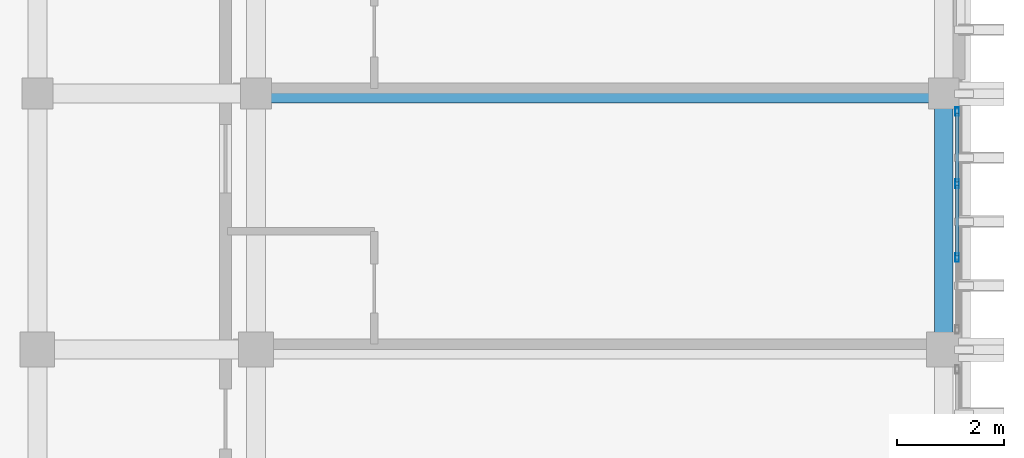
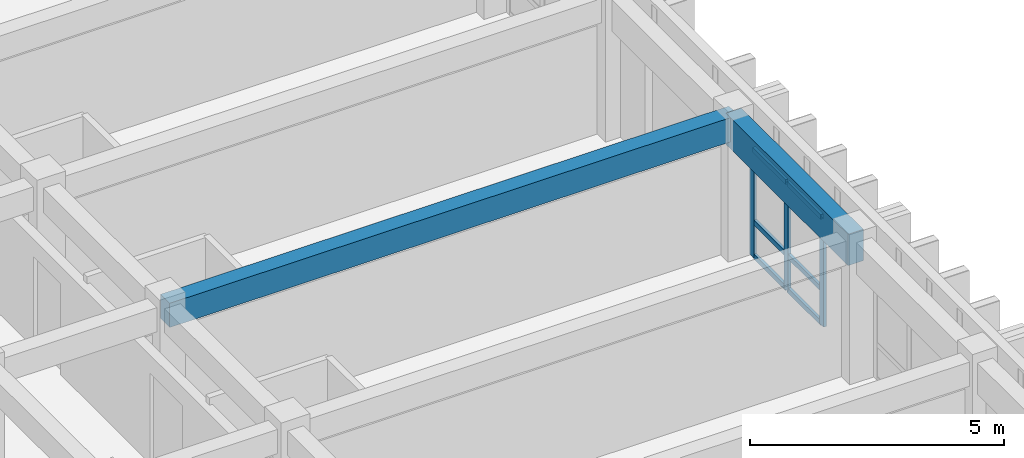
# One storey, part 32 of 49: 9 members, 2 beams, 1 element without a shape of its own.
"""IFC4 building model written with IfcOpenShell, lengths in metres."""

import ifcopenshell
import ifcopenshell.guid

model = None  # the IFC model being written
_history = None  # IfcOwnerHistory: only IFC2X3 demands one
_inside = {}  # id of a spatial element -> (the spatial element, [elements in it])
_under = {}  # id of a project, library or spatial element -> (it, [spatial elements below it])
_declared = {}  # id of a project -> (the project, [libraries it declares])
_typed = {}  # id of a type object -> (the type object, [elements of that type])
_made_of = {}  # id of a material, layer set ... -> (it, [elements and type objects made of it])


def new_model(schema):
    """Start an empty IFC model of exactly this schema.

    Asked for "IFC4X3", IfcOpenShell would pick the latest addendum, in which some entities
    have other attributes; the version numbers below select the first issue.
    IFC2X3 requires an IfcOwnerHistory on every rooted entity: one is made here for all.
    """
    global model, _history
    if schema == "IFC4X3":
        model = ifcopenshell.file(schema_version=(4, 3, 0, 0))
    else:
        model = ifcopenshell.file(schema=schema)
    _inside.clear()
    _under.clear()
    _declared.clear()
    _typed.clear()
    _made_of.clear()
    _history = None
    if model.schema == "IFC2X3":
        org = make("IfcOrganization", Name="unknown")
        user = make(
            "IfcPersonAndOrganization",
            ThePerson=make("IfcPerson", FamilyName="unknown"),
            TheOrganization=org,
        )
        app = make(
            "IfcApplication",
            ApplicationDeveloper=org,
            Version="unknown",
            ApplicationFullName="unknown",
            ApplicationIdentifier="unknown",
        )
        _history = make(
            "IfcOwnerHistory",
            OwningUser=user,
            OwningApplication=app,
            ChangeAction="ADDED",
            CreationDate=0,
        )
    return model


def make(cls, **values):
    """One entity of the class cls with the attributes given. An attribute that is None is left unset."""
    return model.create_entity(
        cls, **{name: value for name, value in values.items() if value is not None}
    )


def rooted(cls, **values):
    """An entity with a GlobalId (a new one), such as an element, a storey or a relation."""
    return make(cls, GlobalId=ifcopenshell.guid.new(), OwnerHistory=_history, **values)


def si_unit(unit_type, name, prefix=None):
    """IfcSIUnit, for example si_unit("LENGTHUNIT", "METRE", prefix="MILLI")."""
    return make("IfcSIUnit", UnitType=unit_type, Prefix=prefix, Name=name)


def assignment(units):
    """IfcUnitAssignment: the units of a project."""
    return None if units is None else make("IfcUnitAssignment", Units=units)


def point(xyz):
    """IfcCartesianPoint."""
    return None if xyz is None else make("IfcCartesianPoint", Coordinates=xyz)


def direction(xyz):
    """IfcDirection."""
    return None if xyz is None else make("IfcDirection", DirectionRatios=xyz)


def frame(location, z_axis=None, x_axis=None):
    """IfcAxis2Placement3D, a coordinate frame: its origin and axes. An axis left out is left unset."""
    return make(
        "IfcAxis2Placement3D",
        Location=point(location),
        Axis=direction(z_axis),
        RefDirection=direction(x_axis),
    )


def frame_2d(location, x_axis=None):
    """IfcAxis2Placement2D, a coordinate frame in the plane: its origin and x axis."""
    return make(
        "IfcAxis2Placement2D", Location=point(location), RefDirection=direction(x_axis)
    )


def origin():
    """The frame at (0, 0, 0) with its axes left unset."""
    return frame((0.0, 0.0, 0.0))


def origin_2d():
    """The frame at (0, 0) in the plane with its x axis left unset."""
    return frame_2d((0.0, 0.0))


def place(relative_to, where):
    """IfcLocalPlacement: puts the frame where relative to a parent placement (None: the world)."""
    return make(
        "IfcLocalPlacement", PlacementRelTo=relative_to, RelativePlacement=where
    )


def context(
    kind, dimensions, precision=None, world=None, true_north=None, identifier=None
):
    """IfcGeometricRepresentationContext, for example the 3D "Model" context."""
    return make(
        "IfcGeometricRepresentationContext",
        ContextIdentifier=identifier,
        ContextType=kind,
        CoordinateSpaceDimension=dimensions,
        Precision=precision,
        WorldCoordinateSystem=world,
        TrueNorth=true_north,
    )


def subcontext(parent, identifier, kind, view, scale=None):
    """IfcGeometricRepresentationSubContext, for example "Body" below "Model"."""
    return make(
        "IfcGeometricRepresentationSubContext",
        ContextIdentifier=identifier,
        ContextType=kind,
        ParentContext=parent,
        TargetScale=scale,
        TargetView=view,
    )


def project(units=None, contexts=None):
    """IfcProject with its units and contexts."""
    return rooted(
        "IfcProject",
        Name="project",
        RepresentationContexts=contexts,
        UnitsInContext=assignment(units),
    )


def spatial(cls, under=None, at=None, **own):
    """A site, building, storey or space (cls), placed at a placement, below another one or the project."""
    s = rooted(cls, ObjectPlacement=at, **own)
    if under is not None:
        _under.setdefault(under.id(), (under, []))[1].append(s)
    return s


def profile(cls, at=None, kind="AREA", **sizes):
    """A parametric profile (cls). Its sizes go by their IFC names, for example OverallWidth=200.0."""
    return make(cls, ProfileType=kind, Position=at, **sizes)


def rectangle(**sizes):
    """IfcRectangleProfileDef."""
    return profile("IfcRectangleProfileDef", **sizes)


def hollow_rectangle(**sizes):
    """IfcRectangleHollowProfileDef."""
    return profile("IfcRectangleHollowProfileDef", **sizes)


def extrude(swept, where, along, depth):
    """IfcExtrudedAreaSolid: the profile swept, set in the frame where, extruded along a direction by depth."""
    return make(
        "IfcExtrudedAreaSolid",
        SweptArea=swept,
        Position=where,
        ExtrudedDirection=direction(along),
        Depth=depth,
    )


def shape(context_of_items, identifier, shape_type, items):
    """IfcShapeRepresentation: the items that make up one representation, for example the "Body"."""
    return make(
        "IfcShapeRepresentation",
        ContextOfItems=context_of_items,
        RepresentationIdentifier=identifier,
        RepresentationType=shape_type,
        Items=items,
    )


def material(Name=None, Category=None):
    """IfcMaterial."""
    return make("IfcMaterial", Name=Name, Category=Category)


def layer(
    of_material, thickness, ventilated=None, Name=None, Category=None, Priority=None
):
    """IfcMaterialLayer: one layer of a wall or slab, of a material (None: an air gap)."""
    return make(
        "IfcMaterialLayer",
        Material=of_material,
        LayerThickness=thickness,
        IsVentilated=ventilated,
        Name=Name,
        Category=Category,
        Priority=Priority,
    )


def layer_set(layers, Name=None):
    """IfcMaterialLayerSet."""
    return make("IfcMaterialLayerSet", MaterialLayers=layers, LayerSetName=Name)


def material_profile(
    of_material, cross_section, Name=None, Category=None, Priority=None
):
    """IfcMaterialProfile: a cross section and its material."""
    return make(
        "IfcMaterialProfile",
        Name=Name,
        Material=of_material,
        Profile=cross_section,
        Priority=Priority,
        Category=Category,
    )


def profile_set(profiles, Name=None, composite=None):
    """IfcMaterialProfileSet."""
    return make(
        "IfcMaterialProfileSet",
        Name=Name,
        MaterialProfiles=profiles,
        CompositeProfile=composite,
    )


def made_of(thing, what):
    """Note that an element or type object is made of a material, layer set ...; save() writes the relation."""
    if what is not None:
        _made_of.setdefault(what.id(), (what, []))[1].append(thing)
    return thing


def type_object(cls, material=None, **own):
    """A type object (cls), such as IfcWallType, which elements share."""
    return made_of(rooted(cls, **own), material)


def element(
    cls,
    number,
    at=None,
    inside=None,
    cuts=None,
    type_object=None,
    material=None,
    context=None,
    identifier="Body",
    shape_type=None,
    held_by="IfcProductDefinitionShape",
    body=None,
    shapes=None,
    **own,
):
    """One element of the class cls, such as IfcWall. Its Tag is "e" and its number.

    at: its placement. inside: the storey or other place that contains it. cuts: it is an
    opening in that element (IfcRelVoidsElement). A single representation is given by context,
    identifier, shape_type and body (its items); several are given by shapes. held_by: the class
    of the entity that holds the representations. save() writes the other relations.
    """
    e = rooted(cls, Tag="e%d" % number, ObjectPlacement=at, **own)
    if body is not None:
        shapes = [shape(context, identifier, shape_type, body)]
    if shapes is not None:
        e.Representation = make(held_by, Representations=shapes)
    if inside is not None:
        _inside.setdefault(inside.id(), (inside, []))[1].append(e)
    if cuts is not None:
        rooted(
            "IfcRelVoidsElement", RelatingBuildingElement=cuts, RelatedOpeningElement=e
        )
    if type_object is not None:
        _typed.setdefault(type_object.id(), (type_object, []))[1].append(e)
    return made_of(e, material)


def aggregate(whole, parts):
    """IfcRelAggregates: a whole, such as a stair, and the parts it consists of."""
    return rooted("IfcRelAggregates", RelatingObject=whole, RelatedObjects=parts)


def save(model, path):
    """Write the relations noted so far, then the file.

    IfcRelAggregates (storeys below a building ...), IfcRelContainedInSpatialStructure (elements
    in a storey), IfcRelDefinesByType, IfcRelAssociatesMaterial and IfcRelDeclares: one each for
    every whole, place, type object, material and project.
    """
    for whole, parts in _under.values():
        aggregate(whole, parts)
    for where, things in _inside.values():
        rooted(
            "IfcRelContainedInSpatialStructure",
            RelatedElements=things,
            RelatingStructure=where,
        )
    for kind, things in _typed.values():
        rooted("IfcRelDefinesByType", RelatedObjects=things, RelatingType=kind)
    for what, things in _made_of.values():
        rooted("IfcRelAssociatesMaterial", RelatedObjects=things, RelatingMaterial=what)
    for by, libraries in _declared.values():
        rooted("IfcRelDeclares", RelatingContext=by, RelatedDefinitions=libraries)
    model.write(path)


model = new_model("IFC4")

# Units and contexts
model_context = context("Model", 3, precision=1e-05, world=origin(), true_north=direction((0.0, 1.0)))
body_context = subcontext(model_context, "Body", "Model", "MODEL_VIEW")
ifc_project = project(units=[si_unit("LENGTHUNIT", "METRE"), si_unit("AREAUNIT", "SQUARE_METRE"), si_unit("VOLUMEUNIT", "CUBIC_METRE"), si_unit("PLANEANGLEUNIT", "RADIAN"), si_unit("MASSUNIT", "GRAM", prefix="KILO")], contexts=[model_context])

# Site, building, storey
site_placement = place(None, origin())
site = spatial("IfcSite", under=ifc_project, at=site_placement, CompositionType="ELEMENT")
building_placement = place(site_placement, origin())
building = spatial("IfcBuilding", under=site, at=building_placement, Name="Nakhvara Creek Congress Hotel", CompositionType="ELEMENT")
storey_placement = place(building_placement, frame((0.0, 0.0, 39.0)))
storey = spatial("IfcBuildingStorey", under=building, at=storey_placement, Name="L09", CompositionType="ELEMENT", Elevation=39.0)

# Beams
ifc_material_1 = material(Name="Concrete C40/50", Category="concrete")
ifc_material_profile_1 = material_profile(ifc_material_1, rectangle(XDim=0.360107421875, YDim=0.580078125, at=origin_2d()), Name="RC-BM 360x580", Category="LoadBearing")
ifc_profile_set_1 = profile_set([ifc_material_profile_1], Name="Concrete C40/50")
beam_type_1 = type_object("IfcBeamType", Name="BM-RC-360X580", PredefinedType="BEAM", material=ifc_profile_set_1)
beam_1_placement = place(storey_placement, frame((166.449951171875, 110.39990234375, 3.070068359375), z_axis=(1.0, 0.0, 0.0), x_axis=(0.0, 1.0, 0.0)))
element("IfcBeam", 1, at=beam_1_placement, inside=storey, type_object=beam_type_1, Name="Beam B09-L09-2628", PredefinedType="BEAM", context=body_context, shape_type="SweptSolid", body=[
    extrude(rectangle(XDim=0.360107421875, YDim=0.580078125, at=origin_2d()), origin(), (0.0, 0.0, 1.0), 12.900146484375),
])
ifc_material_profile_2 = material_profile(ifc_material_1, rectangle(XDim=0.35009765625, YDim=0.75, at=origin_2d()), Name="RC-SPANDREL 350x750", Category="LoadBearing")
ifc_profile_set_2 = profile_set([ifc_material_profile_2], Name="Concrete C40/50")
beam_type_2 = type_object("IfcBeamType", Name="BM-SPN-350X750", PredefinedType="SPANDREL", material=ifc_profile_set_2)
beam_2_placement = place(storey_placement, frame((179.35009765625, 105.60009765625, 2.985107421875), z_axis=(0.0, 1.0, 0.0), x_axis=(-1.0, 0.0, 0.0)))
element("IfcBeam", 2, at=beam_2_placement, inside=storey, type_object=beam_type_2, Name="Beam SP1-L09-2607", PredefinedType="SPANDREL", context=body_context, shape_type="SweptSolid", body=[
    extrude(rectangle(XDim=0.35009765625, YDim=0.75, at=origin_2d()), origin(), (0.0, 0.0, 1.0), 4.7998046875),
])

# Curtain wall, members
ifc_material_2 = material(Name="Bronze-anodised aluminium AW-6063-T6 and double-silver low-E glass", Category="aluminium")
ifc_layer = layer(ifc_material_2, 0.199951171875)
ifc_layer_set = layer_set([ifc_layer], Name="Bronze-anodised aluminium AW-6063-T6 and double-silver low-E glass")
curtain_wall_type = type_object("IfcCurtainWallType", Name="CW-HTL-UNIT", PredefinedType="USERDEFINED", material=ifc_layer_set)
curtain_wall_placement = place(storey_placement, origin())
curtain_wall = element("IfcCurtainWall", 3, at=curtain_wall_placement, inside=storey, type_object=curtain_wall_type, Name="Curtain Wall CW309", ObjectType="UNITISED", PredefinedType="USERDEFINED")
ifc_material_3 = material(Name="Bronze-anodised aluminium AW-6063-T6", Category="aluminium")
ifc_material_profile_3 = material_profile(ifc_material_3, hollow_rectangle(XDim=0.06494140625, YDim=0.159912109375, WallThickness=0.00390625, at=origin_2d()), Name="ALU-MULL 65x160x4", Category="LoadBearing")
ifc_profile_set_3 = profile_set([ifc_material_profile_3], Name="Bronze-anodised aluminium AW-6063-T6")
member_type_1 = type_object("IfcMemberType", Name="CW-MULL-160", PredefinedType="MULLION", material=ifc_profile_set_3)
member_1_placement = place(storey_placement, frame((179.60009765625, 110.0625, 0.0), z_axis=(0.0, 0.0, 1.0), x_axis=(1.0, 0.0, 0.0)))
member_1 = element("IfcMember", 4, at=member_1_placement, type_object=member_type_1, Name="CW309 mullion 1", PredefinedType="MULLION", context=body_context, shape_type="SweptSolid", body=[
    extrude(hollow_rectangle(XDim=0.06494140625, YDim=0.159912109375, WallThickness=0.00390625, at=origin_2d()), origin(), (0.0, 0.0, 1.0), 2.60205078125),
])
member_2_placement = place(storey_placement, frame((179.60009765625, 108.7099609375, 0.0), z_axis=(0.0, 0.0, 1.0), x_axis=(1.0, 0.0, 0.0)))
member_2 = element("IfcMember", 5, at=member_2_placement, type_object=member_type_1, Name="CW309 mullion 2", PredefinedType="MULLION", context=body_context, shape_type="SweptSolid", body=[
    extrude(hollow_rectangle(XDim=0.06494140625, YDim=0.159912109375, WallThickness=0.00390625, at=origin_2d()), origin(), (0.0, 0.0, 1.0), 2.60205078125),
])
member_3_placement = place(storey_placement, frame((179.60009765625, 107.324951171875, 0.0), z_axis=(0.0, 0.0, 1.0), x_axis=(1.0, 0.0, 0.0)))
member_3 = element("IfcMember", 6, at=member_3_placement, type_object=member_type_1, Name="CW309 mullion 3", PredefinedType="MULLION", context=body_context, shape_type="SweptSolid", body=[
    extrude(hollow_rectangle(XDim=0.06494140625, YDim=0.159912109375, WallThickness=0.00390625, at=origin_2d()), origin(), (0.0, 0.0, 1.0), 2.60205078125),
])
ifc_material_profile_4 = material_profile(ifc_material_3, hollow_rectangle(XDim=0.06494140625, YDim=0.1201171875, WallThickness=0.00390625, at=origin_2d()), Name="ALU-TRAN 65x120x4", Category="LoadBearing")
ifc_profile_set_4 = profile_set([ifc_material_profile_4], Name="Bronze-anodised aluminium AW-6063-T6")
member_type_2 = type_object("IfcMemberType", Name="CW-TRAN-120", PredefinedType="USERDEFINED", material=ifc_profile_set_4)
member_4_placement = place(storey_placement, frame((179.60009765625, 110.030029296875, 0.032470703125), z_axis=(0.0, -1.0, 0.0), x_axis=(1.0, 0.0, 0.0)))
member_4 = element("IfcMember", 7, at=member_4_placement, type_object=member_type_2, Name="CW309 transom 1.1", ObjectType="TRANSOM", PredefinedType="USERDEFINED", context=body_context, shape_type="SweptSolid", body=[
    extrude(hollow_rectangle(XDim=0.06494140625, YDim=0.1201171875, WallThickness=0.00390625, at=origin_2d()), origin(), (0.0, 0.0, 1.0), 1.28759765625),
])
member_5_placement = place(storey_placement, frame((179.60009765625, 110.030029296875, 0.85009765625), z_axis=(0.0, -1.0, 0.0), x_axis=(1.0, 0.0, 0.0)))
member_5 = element("IfcMember", 8, at=member_5_placement, type_object=member_type_2, Name="CW309 transom 1.2", ObjectType="TRANSOM", PredefinedType="USERDEFINED", context=body_context, shape_type="SweptSolid", body=[
    extrude(hollow_rectangle(XDim=0.06494140625, YDim=0.1201171875, WallThickness=0.00390625, at=origin_2d()), origin(), (0.0, 0.0, 1.0), 1.28759765625),
])
member_6_placement = place(storey_placement, frame((179.60009765625, 110.030029296875, 2.569580078125), z_axis=(0.0, -1.0, 0.0), x_axis=(1.0, 0.0, 0.0)))
member_6 = element("IfcMember", 9, at=member_6_placement, type_object=member_type_2, Name="CW309 transom 1.3", ObjectType="TRANSOM", PredefinedType="USERDEFINED", context=body_context, shape_type="SweptSolid", body=[
    extrude(hollow_rectangle(XDim=0.06494140625, YDim=0.1201171875, WallThickness=0.00390625, at=origin_2d()), origin(), (0.0, 0.0, 1.0), 1.28759765625),
])
member_7_placement = place(storey_placement, frame((179.60009765625, 108.677490234375, 0.032470703125), z_axis=(0.0, -1.0, 0.0), x_axis=(1.0, 0.0, 0.0)))
member_7 = element("IfcMember", 10, at=member_7_placement, type_object=member_type_2, Name="CW309 transom 2.1", ObjectType="TRANSOM", PredefinedType="USERDEFINED", context=body_context, shape_type="SweptSolid", body=[
    extrude(hollow_rectangle(XDim=0.06494140625, YDim=0.1201171875, WallThickness=0.00390625, at=origin_2d()), origin(), (0.0, 0.0, 1.0), 1.320068359375),
])
member_8_placement = place(storey_placement, frame((179.60009765625, 108.677490234375, 0.85009765625), z_axis=(0.0, -1.0, 0.0), x_axis=(1.0, 0.0, 0.0)))
member_8 = element("IfcMember", 11, at=member_8_placement, type_object=member_type_2, Name="CW309 transom 2.2", ObjectType="TRANSOM", PredefinedType="USERDEFINED", context=body_context, shape_type="SweptSolid", body=[
    extrude(hollow_rectangle(XDim=0.06494140625, YDim=0.1201171875, WallThickness=0.00390625, at=origin_2d()), origin(), (0.0, 0.0, 1.0), 1.320068359375),
])
member_9_placement = place(storey_placement, frame((179.60009765625, 108.677490234375, 2.569580078125), z_axis=(0.0, -1.0, 0.0), x_axis=(1.0, 0.0, 0.0)))
member_9 = element("IfcMember", 12, at=member_9_placement, type_object=member_type_2, Name="CW309 transom 2.3", ObjectType="TRANSOM", PredefinedType="USERDEFINED", context=body_context, shape_type="SweptSolid", body=[
    extrude(hollow_rectangle(XDim=0.06494140625, YDim=0.1201171875, WallThickness=0.00390625, at=origin_2d()), origin(), (0.0, 0.0, 1.0), 1.320068359375),
])
aggregate(curtain_wall, [member_1, member_2, member_3, member_4, member_5, member_6, member_7, member_8, member_9])

save(model, "model.ifc")
